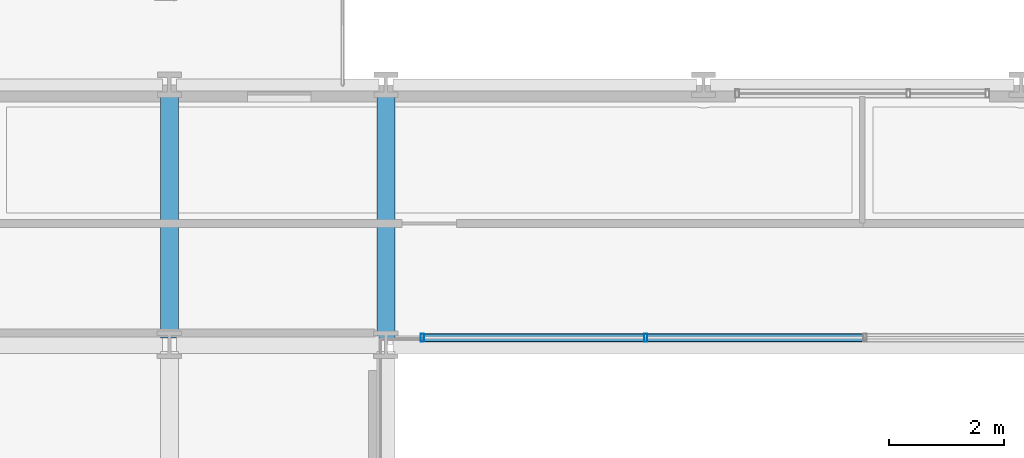
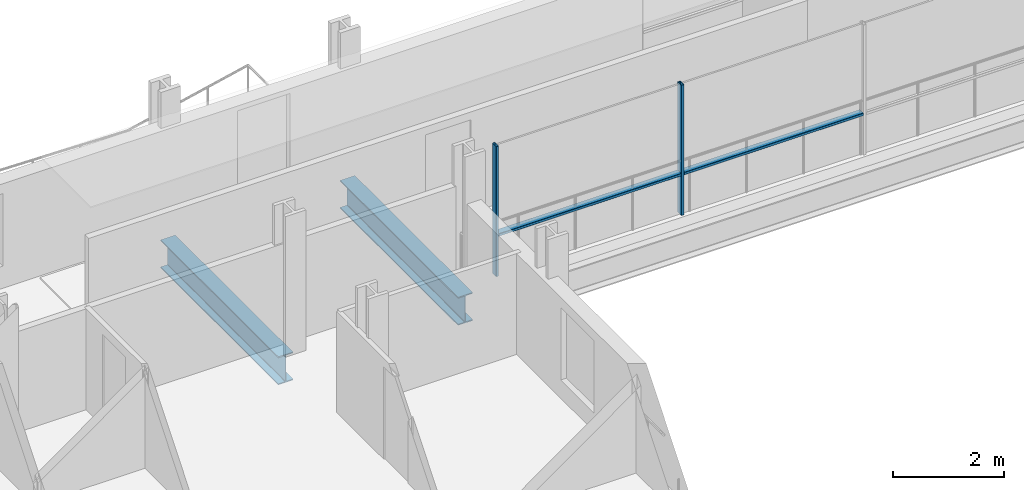
# One storey, part 9 of 41: 4 members, 2 beams, 1 element without a shape of its own.
"""IFC4 building model written with IfcOpenShell, lengths in metres."""

from ifc_helpers import new_model, si_unit, direction, frame, origin, origin_2d, place, context, subcontext, project, spatial, hollow_rectangle, i_section, extrude, material, layer, layer_set, material_profile, profile_set, type_object, element, aggregate, save


model = new_model("IFC4")

# Units and contexts
model_context = context("Model", 3, precision=1e-05, world=origin(), true_north=direction((0.0, 1.0)))
body_context = subcontext(model_context, "Body", "Model", "MODEL_VIEW")
ifc_project = project(units=[si_unit("LENGTHUNIT", "METRE"), si_unit("AREAUNIT", "SQUARE_METRE"), si_unit("VOLUMEUNIT", "CUBIC_METRE"), si_unit("PLANEANGLEUNIT", "RADIAN"), si_unit("MASSUNIT", "GRAM", prefix="KILO")], contexts=[model_context])

# Site, building, storey
site_placement = place(None, origin())
site = spatial("IfcSite", under=ifc_project, at=site_placement, CompositionType="ELEMENT")
building_placement = place(site_placement, origin())
building = spatial("IfcBuilding", under=site, at=building_placement, Name="Brevholm Reach", CompositionType="ELEMENT")
storey_placement = place(building_placement, frame((0.0, 0.0, 43.5)))
storey = spatial("IfcBuildingStorey", under=building, at=storey_placement, Name="L11", CompositionType="ELEMENT", Elevation=43.5)

# Beams
ifc_material_1 = material(Name="Structural Steel S355J2", Category="steel")
ifc_material_profile_1 = material_profile(ifc_material_1, i_section(OverallWidth=0.30712890625, OverallDepth=0.6201171875, WebThickness=0.01416015625, FlangeThickness=0.023681640625, FilletRadius=0.0166015625, at=origin_2d()), Name="UKB 610x305x179")
ifc_profile_set_1 = profile_set([ifc_material_profile_1], Name="Structural Steel S355J2")
beam_type = type_object("IfcBeamType", Name="BM-UKB610H", PredefinedType="USERDEFINED", material=ifc_profile_set_1)
for number, where, z_axis, x_axis, name in (
    (1, (18.0, 26.6201171875, -0.5400390625), (0.0, 1.0, 0.0), (-1.0, 0.0, 0.0), "L11 G-06 Framing Beam"),
    (2, (21.75, 26.6201171875, -0.5400390625), (0.0, 1.0, 0.0), (-1.0, 0.0, 0.0), "L11 G-06 Framing Beam"),
):
    element("IfcBeam", number, at=place(storey_placement, frame(where, z_axis=z_axis, x_axis=x_axis)), inside=storey, type_object=beam_type, Name=name, ObjectType="GIRDER", PredefinedType="USERDEFINED", context=body_context, shape_type="SweptSolid", body=[
        extrude(i_section(OverallWidth=0.30712890625, OverallDepth=0.6201171875, WebThickness=0.01416015625, FlangeThickness=0.023681640625, FilletRadius=0.0166015625, at=origin_2d()), origin(), (0.0, 0.0, 1.0), 4.259765625),
    ])

# Curtain wall, members
ifc_material_2 = material(Name="Dark Anodised Aluminium 6063-T6 and Solar-Control Glass", Category="aluminium")
ifc_layer = layer(ifc_material_2, 0.139892578125)
ifc_layer_set = layer_set([ifc_layer], Name="Dark Anodised Aluminium 6063-T6 and Solar-Control Glass")
curtain_wall_type = type_object("IfcCurtainWallType", Name="CW-02", PredefinedType="NOTDEFINED", material=ifc_layer_set)
curtain_wall_placement = place(storey_placement, origin())
curtain_wall = element("IfcCurtainWall", 3, at=curtain_wall_placement, inside=storey, type_object=curtain_wall_type, Name="L11 Curtain Wall CW-02", PredefinedType="NOTDEFINED")
ifc_material_3 = material(Name="Dark Anodised Aluminium 6063-T6", Category="aluminium")
ifc_material_profile_2 = material_profile(ifc_material_3, hollow_rectangle(XDim=0.06005859375, YDim=0.139892578125, WallThickness=0.0048828125, InnerFilletRadius=0.0048828125, OuterFilletRadius=0.010009765625, at=origin_2d()), Name="RHS 140x60x5")
ifc_profile_set_2 = profile_set([ifc_material_profile_2], Name="Dark Anodised Aluminium 6063-T6")
member_type_1 = type_object("IfcMemberType", Name="CWM-140", PredefinedType="MULLION", material=ifc_profile_set_2)
member_1_placement = place(storey_placement, frame((26.25, 26.6201171875, 0.0), z_axis=(0.0, 0.0, 1.0), x_axis=(-1.0, 0.0, 0.0)))
member_1 = element("IfcMember", 4, at=member_1_placement, type_object=member_type_1, Name="CM-140 Mullion 4", PredefinedType="MULLION", context=body_context, shape_type="SweptSolid", body=[
    extrude(hollow_rectangle(XDim=0.06005859375, YDim=0.139892578125, WallThickness=0.0048828125, InnerFilletRadius=0.0048828125, OuterFilletRadius=0.010009765625, at=origin_2d()), origin(), (0.0, 0.0, 1.0), 2.8701171875),
])
member_2_placement = place(storey_placement, frame((22.3798828125, 26.6201171875, 0.0), z_axis=(0.0, 0.0, 1.0), x_axis=(-1.0, 0.0, 0.0)))
member_2 = element("IfcMember", 5, at=member_2_placement, type_object=member_type_1, Name="CM-140 Mullion 5", PredefinedType="MULLION", context=body_context, shape_type="SweptSolid", body=[
    extrude(hollow_rectangle(XDim=0.06005859375, YDim=0.139892578125, WallThickness=0.0048828125, InnerFilletRadius=0.0048828125, OuterFilletRadius=0.010009765625, at=origin_2d()), origin(), (0.0, 0.0, 1.0), 2.8701171875),
])
ifc_material_4 = material(Name="Dark Anodised Aluminium 6063-T6", Category="aluminium")
ifc_material_profile_3 = material_profile(ifc_material_4, hollow_rectangle(XDim=0.06005859375, YDim=0.139892578125, WallThickness=0.0048828125, InnerFilletRadius=0.0048828125, OuterFilletRadius=0.010009765625, at=origin_2d()), Name="RHS 140x60x5")
ifc_profile_set_3 = profile_set([ifc_material_profile_3], Name="Dark Anodised Aluminium 6063-T6")
member_type_2 = type_object("IfcMemberType", Name="CWT-140", PredefinedType="NOTDEFINED", material=ifc_profile_set_3)
member_3_placement = place(storey_placement, frame((30.02001953125, 26.6201171875, 0.89990234375), z_axis=(-1.0, 0.0, 0.0), x_axis=(0.0, 0.0, 1.0)))
member_3 = element("IfcMember", 6, at=member_3_placement, type_object=member_type_2, Name="CT-140 Transom 3.1", ObjectType="TRANSOM", PredefinedType="USERDEFINED", context=body_context, shape_type="SweptSolid", body=[
    extrude(hollow_rectangle(XDim=0.06005859375, YDim=0.139892578125, WallThickness=0.0048828125, InnerFilletRadius=0.0048828125, OuterFilletRadius=0.010009765625, at=origin_2d()), origin(), (0.0, 0.0, 1.0), 3.739990234375),
])
member_4_placement = place(storey_placement, frame((26.219970703125, 26.6201171875, 0.89990234375), z_axis=(-1.0, 0.0, 0.0), x_axis=(0.0, 0.0, 1.0)))
member_4 = element("IfcMember", 7, at=member_4_placement, type_object=member_type_2, Name="CT-140 Transom 4.1", ObjectType="TRANSOM", PredefinedType="USERDEFINED", context=body_context, shape_type="SweptSolid", body=[
    extrude(hollow_rectangle(XDim=0.06005859375, YDim=0.139892578125, WallThickness=0.0048828125, InnerFilletRadius=0.0048828125, OuterFilletRadius=0.010009765625, at=origin_2d()), origin(), (0.0, 0.0, 1.0), 3.81005859375),
])
aggregate(curtain_wall, [member_1, member_2, member_3, member_4])

save(model, "model.ifc")
